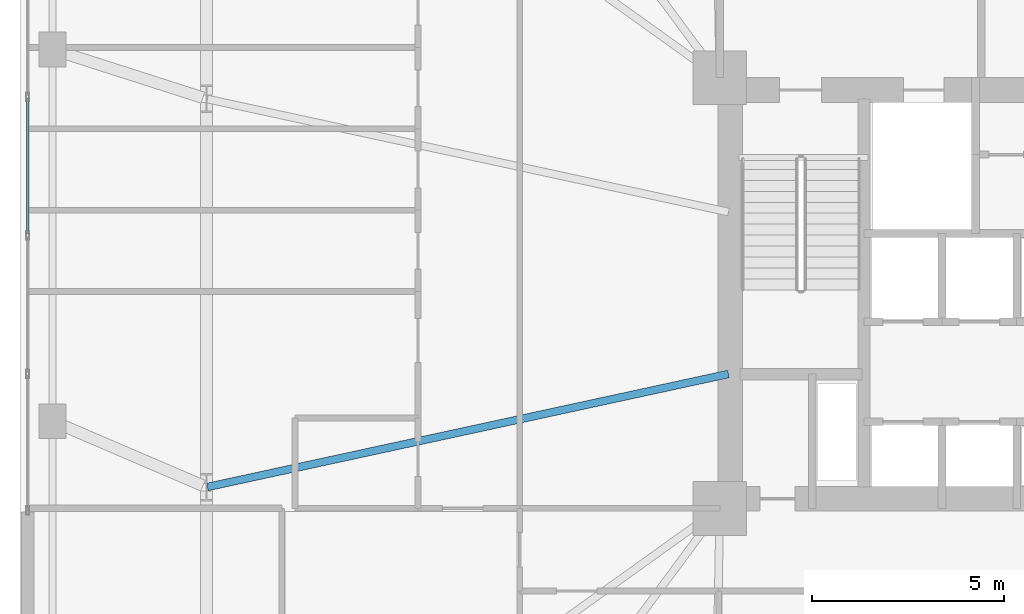
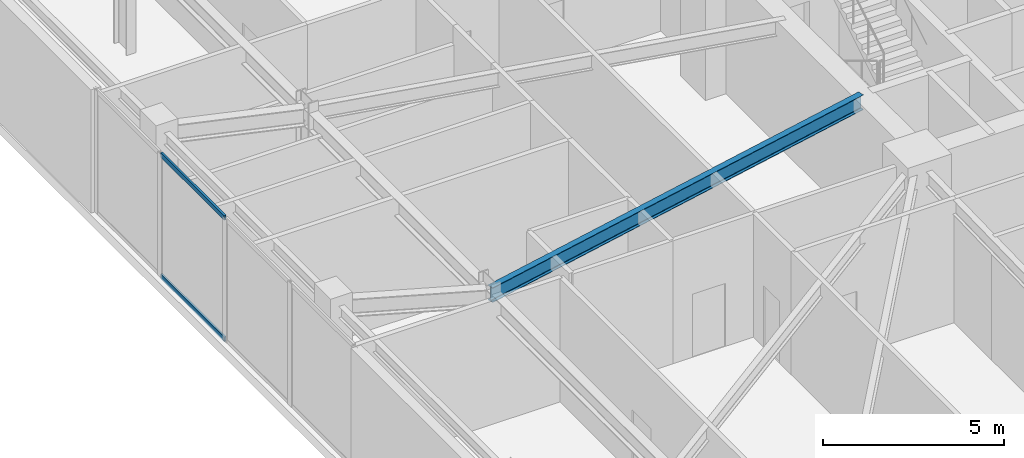
# One storey, part 6 of 21: 2 members, 1 beam, 1 element without a shape of its own.
"""IFC4 building model written with IfcOpenShell, lengths in metres."""

from ifc_helpers import new_model, si_unit, direction, frame, origin, origin_2d, place, context, subcontext, project, spatial, hollow_rectangle, i_section, extrude, material, layer, layer_set, material_profile, profile_set, type_object, element, aggregate, save


model = new_model("IFC4")

# Units and contexts
model_context = context("Model", 3, precision=1e-05, world=origin(), true_north=direction((0.0, 1.0)))
body_context = subcontext(model_context, "Body", "Model", "MODEL_VIEW")
ifc_project = project(units=[si_unit("LENGTHUNIT", "METRE"), si_unit("AREAUNIT", "SQUARE_METRE"), si_unit("VOLUMEUNIT", "CUBIC_METRE"), si_unit("PLANEANGLEUNIT", "RADIAN"), si_unit("MASSUNIT", "GRAM", prefix="KILO")], contexts=[model_context])

# Site, building, storey
site_placement = place(None, origin())
site = spatial("IfcSite", under=ifc_project, at=site_placement, CompositionType="ELEMENT")
building_placement = place(site_placement, origin())
building = spatial("IfcBuilding", under=site, at=building_placement, Name="Qobustan Lattice House", CompositionType="ELEMENT")
storey_placement = place(building_placement, frame((0.0, 0.0, 18.0)))
storey = spatial("IfcBuildingStorey", under=building, at=storey_placement, Name="L04", CompositionType="ELEMENT", Elevation=18.0)

# Beam
ifc_material_1 = material(Name="Steel S355", Category="steel")
ifc_material_profile_1 = material_profile(ifc_material_1, i_section(OverallWidth=0.199951171875, OverallDepth=0.5, WebThickness=0.01025390625, FlangeThickness=0.01611328125, FilletRadius=0.02099609375, at=origin_2d()), Name="IPE500")
ifc_profile_set_1 = profile_set([ifc_material_profile_1], Name="Steel S355")
beam_type = type_object("IfcBeamType", Name="BM-FLG-IPE500", PredefinedType="USERDEFINED", material=ifc_profile_set_1)
beam_placement = place(storey_placement, frame((-32.12548828125, -5.044677734375, 3.919921875), z_axis=(0.97727240275, 0.211987383643, 0.0), x_axis=(-0.211987383643, 0.97727240275, 0.0)))
element("IfcBeam", 1, at=beam_placement, inside=storey, type_object=beam_type, Name="L04 primary floor girder RAD-W3", ObjectType="GIRDER", PredefinedType="USERDEFINED", context=body_context, shape_type="SweptSolid", body=[
    extrude(i_section(OverallWidth=0.199951171875, OverallDepth=0.5, WebThickness=0.01025390625, FlangeThickness=0.01611328125, FilletRadius=0.02099609375, at=origin_2d()), origin(), (0.0, 0.0, 1.0), 13.8662109375),
])

# Curtain wall, members
ifc_material_2 = material(Name="Anodised aluminium and low-E glazing", Category="aluminium")
ifc_layer = layer(ifc_material_2, 0.219970703125)
ifc_layer_set = layer_set([ifc_layer], Name="Anodised aluminium and low-E glazing")
curtain_wall_type = type_object("IfcCurtainWallType", Name="CW-POD-01", PredefinedType="USERDEFINED", material=ifc_layer_set)
curtain_wall_placement = place(storey_placement, origin())
curtain_wall = element("IfcCurtainWall", 2, at=curtain_wall_placement, inside=storey, type_object=curtain_wall_type, Name="L04 W podium colonnade curtain wall", ObjectType="CURTAIN WALL", PredefinedType="USERDEFINED")
ifc_material_3 = material(Name="Anodised aluminium EN AW-6063 T6", Category="aluminium")
ifc_material_profile_2 = material_profile(ifc_material_3, hollow_rectangle(XDim=0.06494140625, YDim=0.159912109375, WallThickness=0.00390625, at=origin_2d()), Name="CWT-160x65")
ifc_profile_set_2 = profile_set([ifc_material_profile_2], Name="Anodised aluminium EN AW-6063 T6")
member_type = type_object("IfcMemberType", Name="CWT-HOR-160", PredefinedType="USERDEFINED", material=ifc_profile_set_2)
member_1_placement = place(storey_placement, frame((-36.800048828125, 1.5400390625, 0.032470703125), z_axis=(0.0, 1.0, 0.0), x_axis=(-1.0, 0.0, 0.0)))
member_1 = element("IfcMember", 3, at=member_1_placement, type_object=member_type, Name="CW-P1 transom 3.1", ObjectType="TRANSOM", PredefinedType="USERDEFINED", context=body_context, shape_type="SweptSolid", body=[
    extrude(hollow_rectangle(XDim=0.06494140625, YDim=0.159912109375, WallThickness=0.00390625, at=origin_2d()), origin(), (0.0, 0.0, 1.0), 3.52001953125),
])
member_2_placement = place(storey_placement, frame((-36.800048828125, 1.5400390625, 4.137451171875), z_axis=(0.0, 1.0, 0.0), x_axis=(-1.0, 0.0, 0.0)))
member_2 = element("IfcMember", 4, at=member_2_placement, type_object=member_type, Name="CW-P1 transom 3.2", ObjectType="TRANSOM", PredefinedType="USERDEFINED", context=body_context, shape_type="SweptSolid", body=[
    extrude(hollow_rectangle(XDim=0.06494140625, YDim=0.159912109375, WallThickness=0.00390625, at=origin_2d()), origin(), (0.0, 0.0, 1.0), 3.52001953125),
])
aggregate(curtain_wall, [member_1, member_2])

save(model, "model.ifc")
